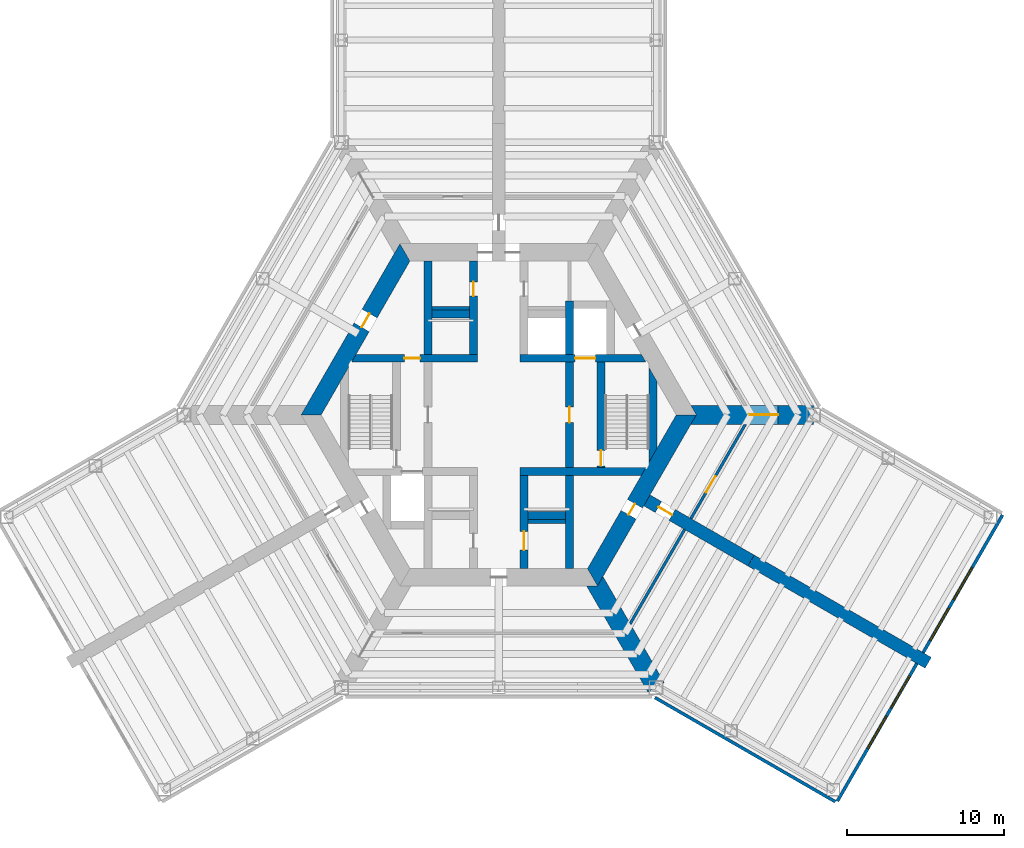
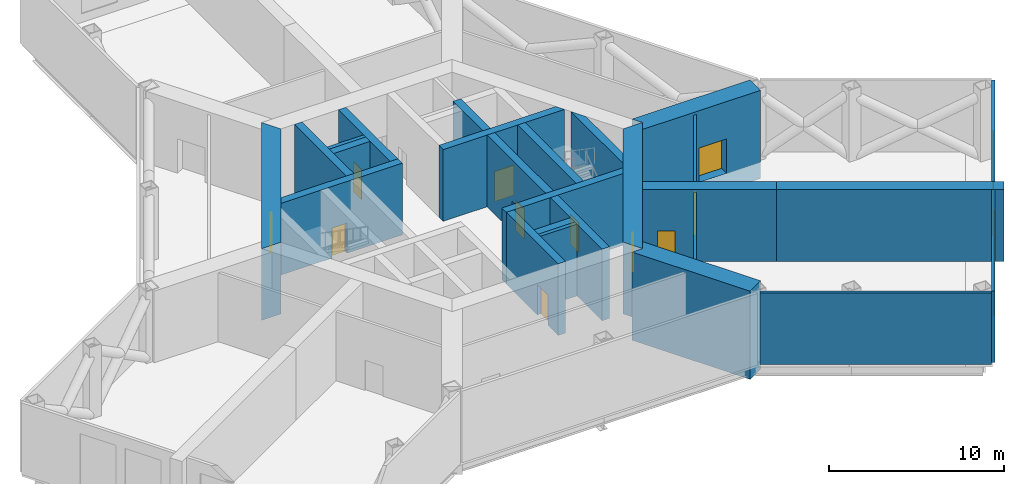
# One storey, part 5 of 8: 26 walls, 11 doors, 4 windows, 15 openings.
"""IFC4 building model written with IfcOpenShell, lengths in metres."""

from ifc_helpers import new_model, si_unit, direction, frame, frame_2d, origin, place, context, subcontext, project, spatial, polyline, rectangle, outline, extrude, material, layer, layer_set, type_object, element, fill, save


model = new_model("IFC4")

# Units and contexts
model_context = context("Model", 3, precision=1e-05, world=origin(), true_north=direction((0.0, 1.0)))
body_context = subcontext(model_context, "Body", "Model", "MODEL_VIEW")
ifc_project = project(units=[si_unit("LENGTHUNIT", "METRE"), si_unit("AREAUNIT", "SQUARE_METRE"), si_unit("VOLUMEUNIT", "CUBIC_METRE"), si_unit("PLANEANGLEUNIT", "RADIAN"), si_unit("MASSUNIT", "GRAM", prefix="KILO")], contexts=[model_context])

# Site, building, storey
site_placement = place(None, origin())
site = spatial("IfcSite", under=ifc_project, at=site_placement, CompositionType="ELEMENT")
building_placement = place(site_placement, origin())
building = spatial("IfcBuilding", under=site, at=building_placement, Name="Kasaneha Research Tower", CompositionType="ELEMENT")
storey_placement = place(building_placement, frame((0.0, 0.0, 123.60009765625)))
storey = spatial("IfcBuildingStorey", under=building, at=storey_placement, Name="L31", CompositionType="ELEMENT", Elevation=123.60009765625)

# Wall, opening, door
ifc_material_1 = material(Name="Concrete Fc80", Category="concrete")
ifc_layer_1 = layer(ifc_material_1, 0.5)
ifc_layer_set_1 = layer_set([ifc_layer_1], Name="Core internal wall 500 Fc80")
wall_type_1 = type_object("IfcWallType", Name="Core internal wall 500 Fc80", PredefinedType="SHEAR", material=ifc_layer_set_1)
wall_1_placement = place(storey_placement, frame((-9.208740234375, 3.60009765625, 0.0), z_axis=(0.0, 0.0, 1.0), x_axis=(1.0, 0.0, 0.0)))
wall_1 = element("IfcWall", 1, at=wall_1_placement, inside=storey, type_object=wall_type_1, Name="Core wall W1W L31", PredefinedType="SHEAR", context=body_context, shape_type="SweptSolid", body=[
    extrude(outline(polyline([(-0.144287109375, -0.25), (3.208740234375, -0.25), (4.208740234375, -0.25), (7.858642578125, -0.25), (7.858642578125, 0.25), (4.208740234375, 0.25), (3.208740234375, 0.25), (0.144287109375, 0.25), (-0.144287109375, -0.25)])), origin(), (0.0, 0.0, 1.0), 5.0),
])
opening_1_placement = place(wall_1_placement, frame((3.208740234375, 0.0, 0.0)))
opening_1 = element("IfcOpeningElement", 2, at=opening_1_placement, cuts=wall_1, Name="Opening L31-D12", PredefinedType="OPENING", context=body_context, shape_type="SweptSolid", body=[
    extrude(rectangle(XDim=1.0, YDim=2.10009765625, at=frame_2d((0.5, 1.050048828125))), frame((0.0, 0.260009765625, 0.0), z_axis=(0.0, -1.0, 0.0), x_axis=(1.0, 0.0, 0.0)), (0.0, 0.0, 1.0), 0.52001953125),
])
ifc_material_2 = material(Name="Steel", Category="steel")
door_type_1 = type_object("IfcDoorType", Name="Specified fire door FD60 1000x2100", OperationType="NOTDEFINED", PredefinedType="DOOR", material=ifc_material_2)
door_1_placement = place(opening_1_placement, origin())
door_1 = element("IfcDoor", 3, at=door_1_placement, inside=storey, type_object=door_type_1, Name="Vestibule to lobby door L31-D12", OperationType="SINGLE_SWING_RIGHT", OverallHeight=2.10009765625, OverallWidth=1.0, PredefinedType="DOOR", context=body_context, shape_type="SweptSolid", body=[
    extrude(rectangle(XDim=1.0, YDim=2.10009765625, at=frame_2d((0.5, 1.050048828125))), frame((0.0, 0.02490234375, 0.0), z_axis=(0.0, -1.0, 0.0), x_axis=(1.0, 0.0, 0.0)), (0.0, 0.0, 1.0), 0.050048828125),
])
fill(opening_1, door_1)

wall_2_placement = place(storey_placement, frame((1.35009765625, 3.60009765625, 0.0), z_axis=(0.0, 0.0, 1.0), x_axis=(1.0, 0.0, 0.0)))
wall_2 = element("IfcWall", 4, at=wall_2_placement, inside=storey, type_object=wall_type_1, Name="Core wall W1E L31", PredefinedType="SHEAR", context=body_context, shape_type="SweptSolid", body=[
    extrude(outline(polyline([(0.0, -0.25), (3.5, -0.25), (4.800048828125, -0.25), (8.0029296875, -0.25), (7.71435546875, 0.25), (4.800048828125, 0.25), (3.5, 0.25), (0.0, 0.25), (0.0, -0.25)])), origin(), (0.0, 0.0, 1.0), 5.0),
])
opening_2_placement = place(wall_2_placement, frame((3.5, 0.0, 0.0)))
opening_2 = element("IfcOpeningElement", 5, at=opening_2_placement, cuts=wall_2, Name="Opening LD-FL1-L31", PredefinedType="OPENING", context=body_context, shape_type="SweptSolid", body=[
    extrude(rectangle(XDim=1.300048828125, YDim=2.10009765625, at=frame_2d((0.64990234375, 1.050048828125))), frame((0.0, 0.260009765625, 0.0), z_axis=(0.0, -1.0, 0.0), x_axis=(1.0, 0.0, 0.0)), (0.0, 0.0, 1.0), 0.52001953125),
])
ifc_material_3 = material(Name="Steel", Category="steel")
door_type_2 = type_object("IfcDoorType", Name="Lift landing door 1300x2100", OperationType="DOUBLE_DOOR_SLIDING", PredefinedType="DOOR", material=ifc_material_3)
door_2_placement = place(opening_2_placement, origin())
door_2 = element("IfcDoor", 6, at=door_2_placement, inside=storey, type_object=door_type_2, Name="Landing door FL1 LD-FL1-L31", OperationType="DOUBLE_DOOR_SLIDING", OverallHeight=2.10009765625, OverallWidth=1.300048828125, PredefinedType="DOOR", context=body_context, shape_type="SweptSolid", body=[
    extrude(rectangle(XDim=1.300048828125, YDim=2.10009765625, at=frame_2d((0.64990234375, 1.050048828125))), frame((0.0, 0.02490234375, 0.0), z_axis=(0.0, -1.0, 0.0), x_axis=(1.0, 0.0, 0.0)), (0.0, 0.0, 1.0), 0.050048828125),
])
fill(opening_2, door_2)

# Wall
wall_3_placement = place(storey_placement, frame((1.35009765625, -3.60009765625, 0.0), z_axis=(0.0, 0.0, 1.0), x_axis=(1.0, 0.0, 0.0)))
element("IfcWall", 7, at=wall_3_placement, inside=storey, type_object=wall_type_1, Name="Core wall W2E L31", PredefinedType="SHEAR", context=body_context, shape_type="SweptSolid", body=[
    extrude(outline(polyline([(0.0, -0.25), (7.71435546875, -0.25), (8.0029296875, 0.25), (0.0, 0.25), (0.0, -0.25)])), origin(), (0.0, 0.0, 1.0), 5.0),
])

# Wall, opening, door
wall_4_placement = place(storey_placement, frame((-1.60009765625, 3.85009765625, 0.0), z_axis=(0.0, 0.0, 1.0), x_axis=(0.0, 1.0, 0.0)))
wall_4 = element("IfcWall", 8, at=wall_4_placement, inside=storey, type_object=wall_type_1, Name="Core wall CNW L31", PredefinedType="SHEAR", context=body_context, shape_type="SweptSolid", body=[
    extrude(rectangle(XDim=5.9248046875, YDim=0.5, at=frame_2d((2.96240234375, 0.0))), origin(), (0.0, 0.0, 1.0), 5.0),
])
opening_3_placement = place(wall_4_placement, frame((3.699951171875, 0.0, 0.0)))
opening_3 = element("IfcOpeningElement", 9, at=opening_3_placement, cuts=wall_4, Name="Opening L31-D13", PredefinedType="OPENING", context=body_context, shape_type="SweptSolid", body=[
    extrude(rectangle(XDim=0.89990234375, YDim=2.10009765625, at=frame_2d((0.449951171875, 1.050048828125))), frame((0.0, 0.260009765625, 0.0), z_axis=(0.0, -1.0, 0.0), x_axis=(1.0, 0.0, 0.0)), (0.0, 0.0, 1.0), 0.52001953125),
])
ifc_material_4 = material(Name="Steel", Category="steel")
door_type_3 = type_object("IfcDoorType", Name="Toilet door FD20 900x2100", OperationType="NOTDEFINED", PredefinedType="DOOR", material=ifc_material_4)
door_3_placement = place(opening_3_placement, origin())
door_3 = element("IfcDoor", 10, at=door_3_placement, inside=storey, type_object=door_type_3, Name="Men's WC door L31-D13", OperationType="SINGLE_SWING_LEFT", OverallHeight=2.10009765625, OverallWidth=0.89990234375, PredefinedType="DOOR", context=body_context, shape_type="SweptSolid", body=[
    extrude(rectangle(XDim=0.89990234375, YDim=2.10009765625, at=frame_2d((0.449951171875, 1.050048828125))), frame((0.0, 0.02490234375, 0.0), z_axis=(0.0, -1.0, 0.0), x_axis=(1.0, 0.0, 0.0)), (0.0, 0.0, 1.0), 0.050048828125),
])
fill(opening_3, door_3)

wall_5_placement = place(storey_placement, frame((1.60009765625, -3.85009765625, 0.0), z_axis=(0.0, 0.0, 1.0), x_axis=(0.0, -1.0, 0.0)))
wall_5 = element("IfcWall", 11, at=wall_5_placement, inside=storey, type_object=wall_type_1, Name="Core wall CSE L31", PredefinedType="SHEAR", context=body_context, shape_type="SweptSolid", body=[
    extrude(rectangle(XDim=5.9248046875, YDim=0.5, at=frame_2d((2.96240234375, 0.0))), origin(), (0.0, 0.0, 1.0), 5.0),
])
opening_4_placement = place(wall_5_placement, frame((3.550048828125, 0.0, 0.0)))
opening_4 = element("IfcOpeningElement", 12, at=opening_4_placement, cuts=wall_5, Name="Opening L31-D15", PredefinedType="OPENING", context=body_context, shape_type="SweptSolid", body=[
    extrude(rectangle(XDim=1.199951171875, YDim=2.10009765625, at=frame_2d((0.60009765625, 1.050048828125))), frame((0.0, 0.260009765625, 0.0), z_axis=(0.0, -1.0, 0.0), x_axis=(1.0, 0.0, 0.0)), (0.0, 0.0, 1.0), 0.52001953125),
])
ifc_material_5 = material(Name="Steel", Category="steel")
door_type_4 = type_object("IfcDoorType", Name="Accessible toilet sliding door FD20 1200x2100", OperationType="SLIDING_TO_LEFT", PredefinedType="DOOR", material=ifc_material_5)
door_4_placement = place(opening_4_placement, origin())
door_4 = element("IfcDoor", 13, at=door_4_placement, inside=storey, type_object=door_type_4, Name="Accessible WC door L31-D15", OperationType="SLIDING_TO_LEFT", OverallHeight=2.10009765625, OverallWidth=1.199951171875, PredefinedType="DOOR", context=body_context, shape_type="SweptSolid", body=[
    extrude(rectangle(XDim=1.199951171875, YDim=2.10009765625, at=frame_2d((0.60009765625, 1.050048828125))), frame((0.0, 0.02490234375, 0.0), z_axis=(0.0, -1.0, 0.0), x_axis=(1.0, 0.0, 0.0)), (0.0, 0.0, 1.0), 0.050048828125),
])
fill(opening_4, door_4)

wall_6_placement = place(storey_placement, frame((4.5, -3.35009765625, 0.0), z_axis=(0.0, 0.0, 1.0), x_axis=(0.0, 1.0, 0.0)))
wall_6 = element("IfcWall", 14, at=wall_6_placement, inside=storey, type_object=wall_type_1, Name="Core wall LBE L31", PredefinedType="SHEAR", context=body_context, shape_type="SweptSolid", body=[
    extrude(rectangle(XDim=6.7001953125, YDim=0.5, at=frame_2d((3.35009765625, 0.0))), origin(), (0.0, 0.0, 1.0), 5.0),
])
opening_5_placement = place(wall_6_placement, frame((2.85009765625, 0.0, 0.0)))
opening_5 = element("IfcOpeningElement", 15, at=opening_5_placement, cuts=wall_6, Name="Opening L31-D08", PredefinedType="OPENING", context=body_context, shape_type="SweptSolid", body=[
    extrude(rectangle(XDim=1.0, YDim=2.10009765625, at=frame_2d((0.5, 1.050048828125))), frame((0.0, 0.260009765625, 0.0), z_axis=(0.0, -1.0, 0.0), x_axis=(1.0, 0.0, 0.0)), (0.0, 0.0, 1.0), 0.52001953125),
])
door_5_placement = place(opening_5_placement, origin())
door_5 = element("IfcDoor", 16, at=door_5_placement, inside=storey, type_object=door_type_1, Name="Lift lobby door east L31-D08", OperationType="SINGLE_SWING_LEFT", OverallHeight=2.10009765625, OverallWidth=1.0, PredefinedType="DOOR", context=body_context, shape_type="SweptSolid", body=[
    extrude(rectangle(XDim=1.0, YDim=2.10009765625, at=frame_2d((0.5, 1.050048828125))), frame((0.0, 0.02490234375, 0.0), z_axis=(0.0, -1.0, 0.0), x_axis=(1.0, 0.0, 0.0)), (0.0, 0.0, 1.0), 0.050048828125),
])
fill(opening_5, door_5)

wall_7_placement = place(storey_placement, frame((6.5, -3.35009765625, 0.0), z_axis=(0.0, 0.0, 1.0), x_axis=(0.0, 1.0, 0.0)))
wall_7 = element("IfcWall", 17, at=wall_7_placement, inside=storey, type_object=wall_type_1, Name="Core wall ANE L31", PredefinedType="SHEAR", context=body_context, shape_type="SweptSolid", body=[
    extrude(rectangle(XDim=6.7001953125, YDim=0.5, at=frame_2d((3.35009765625, 0.0))), origin(), (0.0, 0.0, 1.0), 5.0),
])
opening_6_placement = place(wall_7_placement, frame((0.10009765625, 0.0, 0.0)))
opening_6 = element("IfcOpeningElement", 18, at=opening_6_placement, cuts=wall_7, Name="Opening L31-D10", PredefinedType="OPENING", context=body_context, shape_type="SweptSolid", body=[
    extrude(rectangle(XDim=1.0, YDim=2.10009765625, at=frame_2d((0.5, 1.050048828125))), frame((0.0, 0.260009765625, 0.0), z_axis=(0.0, -1.0, 0.0), x_axis=(1.0, 0.0, 0.0)), (0.0, 0.0, 1.0), 0.52001953125),
])
door_6_placement = place(opening_6_placement, origin())
door_6 = element("IfcDoor", 19, at=door_6_placement, inside=storey, type_object=door_type_1, Name="Stair 1 door L31-D10", OperationType="SINGLE_SWING_LEFT", OverallHeight=2.10009765625, OverallWidth=1.0, PredefinedType="DOOR", context=body_context, shape_type="SweptSolid", body=[
    extrude(rectangle(XDim=1.0, YDim=2.10009765625, at=frame_2d((0.5, 1.050048828125))), frame((0.0, 0.02490234375, 0.0), z_axis=(0.0, -1.0, 0.0), x_axis=(1.0, 0.0, 0.0)), (0.0, 0.0, 1.0), 0.050048828125),
])
fill(opening_6, door_6)

# Walls
wall_8_placement = place(storey_placement, frame((-4.5, 3.85009765625, 0.0), z_axis=(0.0, 0.0, 1.0), x_axis=(0.0, 1.0, 0.0)))
element("IfcWall", 20, at=wall_8_placement, inside=storey, type_object=wall_type_1, Name="Core wall VNW L31", PredefinedType="SHEAR", context=body_context, shape_type="SweptSolid", body=[
    extrude(rectangle(XDim=5.9248046875, YDim=0.5, at=frame_2d((2.96240234375, 0.0))), origin(), (0.0, 0.0, 1.0), 5.0),
])
wall_9_placement = place(storey_placement, frame((4.5, 3.85009765625, 0.0), z_axis=(0.0, 0.0, 1.0), x_axis=(0.0, 1.0, 0.0)))
element("IfcWall", 21, at=wall_9_placement, inside=storey, type_object=wall_type_1, Name="Core wall FNE L31", PredefinedType="SHEAR", context=body_context, shape_type="SweptSolid", body=[
    extrude(rectangle(XDim=3.39990234375, YDim=0.5, at=frame_2d((1.699951171875, 0.0))), origin(), (0.0, 0.0, 1.0), 5.0),
])
wall_10_placement = place(storey_placement, frame((4.5, -3.85009765625, 0.0), z_axis=(0.0, 0.0, 1.0), x_axis=(0.0, -1.0, 0.0)))
element("IfcWall", 22, at=wall_10_placement, inside=storey, type_object=wall_type_1, Name="Core wall SSE L31", PredefinedType="SHEAR", context=body_context, shape_type="SweptSolid", body=[
    extrude(rectangle(XDim=5.9248046875, YDim=0.5, at=frame_2d((2.96240234375, 0.0))), origin(), (0.0, 0.0, 1.0), 5.0),
])
for number, where, z_axis, x_axis, name in (
    (23, (-4.25, 6.39990234375, 0.0), (0.0, 0.0, 1.0), (1.0, 0.0, 0.0), "Core wall N1N L31"),
    (24, (1.85009765625, -6.39990234375, 0.0), (0.0, 0.0, 1.0), (1.0, 0.0, 0.0), "Core wall S3S L31"),
):
    element("IfcWall", number, at=place(storey_placement, frame(where, z_axis=z_axis, x_axis=x_axis)), inside=storey, type_object=wall_type_1, Name=name, PredefinedType="SHEAR", context=body_context, shape_type="SweptSolid", body=[
        extrude(rectangle(XDim=2.39990234375, YDim=0.5, at=frame_2d((1.199951171875, 0.0))), origin(), (0.0, 0.0, 1.0), 5.0),
    ])
wall_11_placement = place(storey_placement, frame((9.807861328125, -2.562255859375, 0.0), z_axis=(0.0, 0.0, 1.0), x_axis=(0.0, 1.0, 0.0)))
element("IfcWall", 25, at=wall_11_placement, inside=storey, type_object=wall_type_1, Name="Core wall STE L31", PredefinedType="SHEAR", context=body_context, shape_type="SweptSolid", body=[
    extrude(outline(polyline([(0.43310546875, -0.25), (4.69140625, -0.25), (5.5576171875, 0.25), (-0.43310546875, 0.25), (0.43310546875, -0.25)])), origin(), (0.0, 0.0, 1.0), 5.0),
])

# Wall, opening, door
ifc_material_6 = material(Name="Concrete Fc80", Category="concrete")
ifc_layer_2 = layer(ifc_material_6, 1.10009765625)
ifc_layer_set_2 = layer_set([ifc_layer_2], Name="Core wall 1100 Fc80")
wall_type_2 = type_object("IfcWallType", Name="Core wall 1100 Fc80", PredefinedType="SHEAR", material=ifc_layer_set_2)
wall_12_placement = place(storey_placement, frame((-5.961181640625, 10.324951171875, 0.0), z_axis=(0.0, 0.0, 1.0), x_axis=(-0.500004296715, -0.866022923061, 0.0)))
wall_12 = element("IfcWall", 26, at=wall_12_placement, inside=storey, type_object=wall_type_2, Name="Core wall 150 L31", PredefinedType="SHEAR", context=body_context, shape_type="SweptSolid", body=[
    extrude(outline(polyline([(-0.317626953125, -0.550048828125), (4.494140625, -0.550048828125), (5.494140625, -0.550048828125), (12.239990234375, -0.550048828125), (11.604736328125, 0.550048828125), (5.494140625, 0.550048828125), (4.494140625, 0.550048828125), (0.317626953125, 0.550048828125), (-0.317626953125, -0.550048828125)])), origin(), (0.0, 0.0, 1.0), 5.0),
])
opening_7_placement = place(wall_12_placement, frame((4.494140625, 0.0, 0.0)))
opening_7 = element("IfcOpeningElement", 27, at=opening_7_placement, cuts=wall_12, Name="Opening L31-D07", PredefinedType="OPENING", context=body_context, shape_type="SweptSolid", body=[
    extrude(rectangle(XDim=1.0, YDim=2.10009765625, at=frame_2d((0.5, 1.050048828125))), frame((0.0, 0.56005859375, 0.0), z_axis=(0.0, -1.0, 0.0), x_axis=(1.0, 0.0, 0.0)), (0.0, 0.0, 1.0), 1.1201171875),
])
ifc_material_7 = material(Name="Steel", Category="steel")
door_type_5 = type_object("IfcDoorType", Name="Fire door FD20 1000x2100", OperationType="NOTDEFINED", PredefinedType="DOOR", material=ifc_material_7)
door_7_placement = place(opening_7_placement, origin())
door_7 = element("IfcDoor", 28, at=door_7_placement, inside=storey, type_object=door_type_5, Name="Vestibule door L31-D07", OperationType="SINGLE_SWING_LEFT", OverallHeight=2.10009765625, OverallWidth=1.0, PredefinedType="DOOR", context=body_context, shape_type="SweptSolid", body=[
    extrude(rectangle(XDim=1.0, YDim=2.10009765625, at=frame_2d((0.5, 1.050048828125))), frame((0.0, 0.02490234375, 0.0), z_axis=(0.0, -1.0, 0.0), x_axis=(1.0, 0.0, 0.0)), (0.0, 0.0, 1.0), 0.050048828125),
])
fill(opening_7, door_7)

wall_13_placement = place(storey_placement, frame((5.961181640625, -10.324951171875, 0.0), z_axis=(0.0, 0.0, 1.0), x_axis=(0.500004296715, 0.866022923061, 0.0)))
wall_13 = element("IfcWall", 29, at=wall_13_placement, inside=storey, type_object=wall_type_2, Name="Core wall 330 L31", PredefinedType="SHEAR", context=body_context, shape_type="SweptSolid", body=[
    extrude(outline(polyline([(-0.317626953125, -0.550048828125), (4.593994140625, -0.550048828125), (5.39404296875, -0.550048828125), (12.239990234375, -0.550048828125), (11.604736328125, 0.550048828125), (5.39404296875, 0.550048828125), (4.593994140625, 0.550048828125), (0.317626953125, 0.550048828125), (-0.317626953125, -0.550048828125)])), origin(), (0.0, 0.0, 1.0), 5.0),
])
opening_8_placement = place(wall_13_placement, frame((4.593994140625, 0.0, 0.0)))
opening_8 = element("IfcOpeningElement", 30, at=opening_8_placement, cuts=wall_13, Name="Opening L31-D05", PredefinedType="OPENING", context=body_context, shape_type="SweptSolid", body=[
    extrude(rectangle(XDim=0.800048828125, YDim=2.10009765625, at=frame_2d((0.39990234375, 1.050048828125))), frame((0.0, 0.56005859375, 0.0), z_axis=(0.0, -1.0, 0.0), x_axis=(1.0, 0.0, 0.0)), (0.0, 0.0, 1.0), 1.1201171875),
])
ifc_material_8 = material(Name="Steel", Category="steel")
door_type_6 = type_object("IfcDoorType", Name="Riser access door FD60 800x2100", OperationType="NOTDEFINED", PredefinedType="DOOR", material=ifc_material_8)
door_8_placement = place(opening_8_placement, origin())
door_8 = element("IfcDoor", 31, at=door_8_placement, inside=storey, type_object=door_type_6, Name="Pipe riser door L31-D05", OperationType="SINGLE_SWING_LEFT", OverallHeight=2.10009765625, OverallWidth=0.800048828125, PredefinedType="DOOR", context=body_context, shape_type="SweptSolid", body=[
    extrude(rectangle(XDim=0.800048828125, YDim=2.10009765625, at=frame_2d((0.39990234375, 1.050048828125))), frame((0.0, 0.02490234375, 0.0), z_axis=(0.0, -1.0, 0.0), x_axis=(1.0, 0.0, 0.0)), (0.0, 0.0, 1.0), 0.050048828125),
])
fill(opening_8, door_8)

# Wall
ifc_material_9 = material(Name="Terracotta cladding on steel frame", Category="masonry")
ifc_layer_3 = layer(ifc_material_9, 0.199951171875)
ifc_layer_set_3 = layer_set([ifc_layer_3], Name="Louvred plant wall 200")
wall_type_3 = type_object("IfcWallType", Name="Louvred plant wall 200", PredefinedType="ELEMENTEDWALL", material=ifc_layer_set_3)
wall_14_placement = place(storey_placement, frame((9.92578125, -17.970458984375, 0.0), z_axis=(0.0, 0.0, 1.0), x_axis=(0.86602620781, -0.499998607384, 0.0)))
element("IfcWall", 32, at=wall_14_placement, inside=storey, type_object=wall_type_3, Name="Louvred plant wall L31", PredefinedType="ELEMENTEDWALL", context=body_context, shape_type="SweptSolid", body=[
    extrude(rectangle(XDim=13.2392578125, YDim=0.199951171875, at=frame_2d((6.61962890625, 0.0))), origin(), (0.0, 0.0, 1.0), 5.0),
])

# Wall, openings, windows
wall_15_placement = place(storey_placement, frame((21.52783203125, -24.553466796875, 0.0), z_axis=(0.0, 0.0, 1.0), x_axis=(0.500004929441, 0.866022557752, 0.0)))
wall_15 = element("IfcWall", 33, at=wall_15_placement, inside=storey, type_object=wall_type_3, Name="Louvred plant wall L31", PredefinedType="ELEMENTEDWALL", context=body_context, shape_type="SweptSolid", body=[
    extrude(rectangle(XDim=10.10009765625, YDim=0.199951171875, at=frame_2d((5.050048828125, 0.0))), origin(), (0.0, 0.0, 1.0), 5.0),
])
opening_9_placement = place(wall_15_placement, frame((3.86669921875, 0.0, 0.60009765625)))
opening_9 = element("IfcOpeningElement", 34, at=opening_9_placement, cuts=wall_15, Name="Opening LV2", PredefinedType="OPENING", context=body_context, shape_type="SweptSolid", body=[
    extrude(rectangle(XDim=2.36669921875, YDim=3.60009765625, at=frame_2d((1.183349609375, 1.800048828125))), frame((0.0, 0.10986328125, 0.0), z_axis=(0.0, -1.0, 0.0), x_axis=(1.0, 0.0, 0.0)), (0.0, 0.0, 1.0), 0.219970703125),
])
opening_10_placement = place(wall_15_placement, frame((6.833251953125, 0.0, 0.60009765625)))
opening_10 = element("IfcOpeningElement", 35, at=opening_10_placement, cuts=wall_15, Name="Opening LV2", PredefinedType="OPENING", context=body_context, shape_type="SweptSolid", body=[
    extrude(rectangle(XDim=2.36669921875, YDim=3.60009765625, at=frame_2d((1.183349609375, 1.800048828125))), frame((0.0, 0.10986328125, 0.0), z_axis=(0.0, -1.0, 0.0), x_axis=(1.0, 0.0, 0.0)), (0.0, 0.0, 1.0), 0.219970703125),
])
ifc_material_10 = material(Name="Aluminium 6063-T6", Category="aluminium")
window_type = type_object("IfcWindowType", Name="Louvre 2367x3600", PartitioningType="SINGLE_PANEL", PredefinedType="USERDEFINED", material=ifc_material_10)
window_1_placement = place(opening_9_placement, origin())
window_1 = element("IfcWindow", 36, at=window_1_placement, inside=storey, type_object=window_type, Name="Plant louvre L31 2", ObjectType="LOUVRE", OverallHeight=3.60009765625, OverallWidth=2.36669921875, PartitioningType="SINGLE_PANEL", PredefinedType="USERDEFINED", context=body_context, shape_type="SweptSolid", body=[
    extrude(rectangle(XDim=2.36669921875, YDim=3.60009765625, at=frame_2d((1.183349609375, 1.800048828125))), frame((0.0, 0.030029296875, 0.0), z_axis=(0.0, -1.0, 0.0), x_axis=(1.0, 0.0, 0.0)), (0.0, 0.0, 1.0), 0.06005859375),
])
fill(opening_9, window_1)
window_2_placement = place(opening_10_placement, origin())
window_2 = element("IfcWindow", 37, at=window_2_placement, inside=storey, type_object=window_type, Name="Plant louvre L31 3", ObjectType="LOUVRE", OverallHeight=3.60009765625, OverallWidth=2.36669921875, PartitioningType="SINGLE_PANEL", PredefinedType="USERDEFINED", context=body_context, shape_type="SweptSolid", body=[
    extrude(rectangle(XDim=2.36669921875, YDim=3.60009765625, at=frame_2d((1.183349609375, 1.800048828125))), frame((0.0, 0.030029296875, 0.0), z_axis=(0.0, -1.0, 0.0), x_axis=(1.0, 0.0, 0.0)), (0.0, 0.0, 1.0), 0.06005859375),
])
fill(opening_10, window_2)

wall_16_placement = place(storey_placement, frame((26.97802734375, -15.11376953125, 0.0), z_axis=(0.0, 0.0, 1.0), x_axis=(0.499986799974, 0.866033024689, 0.0)))
wall_16 = element("IfcWall", 38, at=wall_16_placement, inside=storey, type_object=wall_type_3, Name="Louvred plant wall L31", PredefinedType="ELEMENTEDWALL", context=body_context, shape_type="SweptSolid", body=[
    extrude(rectangle(XDim=10.099853515625, YDim=0.199951171875, at=frame_2d((5.0498046875, 0.0))), origin(), (0.0, 0.0, 1.0), 5.0),
])
opening_11_placement = place(wall_16_placement, frame((0.89990234375, 0.0, 0.60009765625)))
opening_11 = element("IfcOpeningElement", 39, at=opening_11_placement, cuts=wall_16, Name="Opening LV2", PredefinedType="OPENING", context=body_context, shape_type="SweptSolid", body=[
    extrude(rectangle(XDim=2.36669921875, YDim=3.60009765625, at=frame_2d((1.183349609375, 1.800048828125))), frame((0.0, 0.10986328125, 0.0), z_axis=(0.0, -1.0, 0.0), x_axis=(1.0, 0.0, 0.0)), (0.0, 0.0, 1.0), 0.219970703125),
])
opening_12_placement = place(wall_16_placement, frame((3.86669921875, 0.0, 0.60009765625)))
opening_12 = element("IfcOpeningElement", 40, at=opening_12_placement, cuts=wall_16, Name="Opening LV2", PredefinedType="OPENING", context=body_context, shape_type="SweptSolid", body=[
    extrude(rectangle(XDim=2.36669921875, YDim=3.60009765625, at=frame_2d((1.183349609375, 1.800048828125))), frame((0.0, 0.10986328125, 0.0), z_axis=(0.0, -1.0, 0.0), x_axis=(1.0, 0.0, 0.0)), (0.0, 0.0, 1.0), 0.219970703125),
])
window_3_placement = place(opening_11_placement, origin())
window_3 = element("IfcWindow", 41, at=window_3_placement, inside=storey, type_object=window_type, Name="Plant louvre L31 1", ObjectType="LOUVRE", OverallHeight=3.60009765625, OverallWidth=2.36669921875, PartitioningType="SINGLE_PANEL", PredefinedType="USERDEFINED", context=body_context, shape_type="SweptSolid", body=[
    extrude(rectangle(XDim=2.36669921875, YDim=3.60009765625, at=frame_2d((1.183349609375, 1.800048828125))), frame((0.0, 0.030029296875, 0.0), z_axis=(0.0, -1.0, 0.0), x_axis=(1.0, 0.0, 0.0)), (0.0, 0.0, 1.0), 0.06005859375),
])
fill(opening_11, window_3)
window_4_placement = place(opening_12_placement, origin())
window_4 = element("IfcWindow", 42, at=window_4_placement, inside=storey, type_object=window_type, Name="Plant louvre L31 2", ObjectType="LOUVRE", OverallHeight=3.60009765625, OverallWidth=2.36669921875, PartitioningType="SINGLE_PANEL", PredefinedType="USERDEFINED", context=body_context, shape_type="SweptSolid", body=[
    extrude(rectangle(XDim=2.36669921875, YDim=3.60009765625, at=frame_2d((1.183349609375, 1.800048828125))), frame((0.0, 0.030029296875, 0.0), z_axis=(0.0, -1.0, 0.0), x_axis=(1.0, 0.0, 0.0)), (0.0, 0.0, 1.0), 0.06005859375),
])
fill(opening_12, window_4)

# Wall, opening, door
ifc_material_11 = material(Name="Concrete Fc80", Category="concrete")
ifc_layer_4 = layer(ifc_material_11, 1.199951171875)
ifc_layer_set_4 = layer_set([ifc_layer_4], Name="Outrigger wall 1200 Fc80")
wall_type_4 = type_object("IfcWallType", Name="Outrigger wall 1200 Fc80", PredefinedType="SHEAR", material=ifc_layer_set_4)
wall_17_placement = place(storey_placement, frame((12.557373046875, 0.0, -1.150146484375), z_axis=(0.0, 0.0, 1.0), x_axis=(1.0, 0.0, 0.0)))
wall_17 = element("IfcWall", 43, at=wall_17_placement, inside=storey, type_object=wall_type_4, Name="Outrigger wall 000 L31", PredefinedType="SHEAR", context=body_context, shape_type="SweptSolid", body=[
    extrude(outline(polyline([(-0.346435546875, -0.60009765625), (3.395263671875, -0.60009765625), (5.1953125, -0.60009765625), (7.442626953125, -0.60009765625), (7.442626953125, 0.60009765625), (5.1953125, 0.60009765625), (3.395263671875, 0.60009765625), (-0.346435546875, 0.60009765625), (0.0, 0.0), (-0.346435546875, -0.60009765625)])), origin(), (0.0, 0.0, 1.0), 6.150146484375),
])
opening_13_placement = place(wall_17_placement, frame((3.395263671875, 0.0, 1.14990234375)))
opening_13 = element("IfcOpeningElement", 44, at=opening_13_placement, cuts=wall_17, Name="Opening L31-D20", PredefinedType="OPENING", context=body_context, shape_type="SweptSolid", body=[
    extrude(rectangle(XDim=1.800048828125, YDim=2.39990234375, at=frame_2d((0.89990234375, 1.199951171875))), frame((0.0, 0.60986328125, 0.0), z_axis=(0.0, -1.0, 0.0), x_axis=(1.0, 0.0, 0.0)), (0.0, 0.0, 1.0), 1.219970703125),
])
ifc_material_12 = material(Name="Steel", Category="steel")
door_type_7 = type_object("IfcDoorType", Name="Plant room double door FD60 1800x2400", OperationType="DOUBLE_DOOR_SINGLE_SWING", PredefinedType="DOOR", material=ifc_material_12)
door_9_placement = place(opening_13_placement, origin())
door_9 = element("IfcDoor", 45, at=door_9_placement, inside=storey, type_object=door_type_7, Name="Plant room door L31-D20", OperationType="DOUBLE_DOOR_SINGLE_SWING", OverallHeight=2.39990234375, OverallWidth=1.800048828125, PredefinedType="DOOR", context=body_context, shape_type="SweptSolid", body=[
    extrude(rectangle(XDim=1.800048828125, YDim=2.39990234375, at=frame_2d((0.89990234375, 1.199951171875))), frame((0.0, 0.02490234375, 0.0), z_axis=(0.0, -1.0, 0.0), x_axis=(1.0, 0.0, 0.0)), (0.0, 0.0, 1.0), 0.050048828125),
])
fill(opening_13, door_9)

# Wall
wall_18_placement = place(storey_placement, frame((6.278564453125, -10.875, -1.150146484375), z_axis=(0.0, 0.0, 1.0), x_axis=(0.50000923905, -0.866020069551, 0.0)))
element("IfcWall", 46, at=wall_18_placement, inside=storey, type_object=wall_type_4, Name="Outrigger wall 300 L31", PredefinedType="SHEAR", context=body_context, shape_type="SweptSolid", body=[
    extrude(outline(polyline([(-0.346435546875, -0.60009765625), (7.442626953125, -0.60009765625), (7.442626953125, 0.60009765625), (-0.346435546875, 0.60009765625), (0.0, 0.0), (-0.346435546875, -0.60009765625)])), origin(), (0.0, 0.0, 1.0), 6.150146484375),
])

# Wall, opening, door
ifc_material_13 = material(Name="Gypsum board on steel studs, two layers each side", Category="steel")
ifc_layer_5 = layer(ifc_material_13, 0.175048828125)
ifc_layer_set_5 = layer_set([ifc_layer_5], Name="Refuge fire partition 175")
wall_type_5 = type_object("IfcWallType", Name="Refuge fire partition 175", PredefinedType="PARTITIONING", material=ifc_layer_set_5)
wall_19_placement = place(storey_placement, frame((12.218505859375, -6.5869140625, 0.0), z_axis=(0.0, 0.0, 1.0), x_axis=(0.500005739714, 0.866022089933, 0.0)))
wall_19 = element("IfcWall", 47, at=wall_19_placement, inside=storey, type_object=wall_type_5, Name="Refuge fire partition RFCE01 L31", PredefinedType="PARTITIONING", context=body_context, shape_type="SweptSolid", body=[
    extrude(outline(polyline([(0.0, -0.08740234375), (1.900146484375, -0.08740234375), (3.10009765625, -0.08740234375), (6.963623046875, -0.08740234375), (6.862548828125, 0.08740234375), (3.10009765625, 0.08740234375), (1.900146484375, 0.08740234375), (0.0, 0.08740234375), (0.0, -0.08740234375)])), origin(), (0.0, 0.0, 1.0), 4.7998046875),
])
opening_14_placement = place(wall_19_placement, frame((1.900146484375, 0.0, 0.0)))
opening_14 = element("IfcOpeningElement", 48, at=opening_14_placement, cuts=wall_19, Name="Opening L31-D27", PredefinedType="OPENING", context=body_context, shape_type="SweptSolid", body=[
    extrude(rectangle(XDim=1.199951171875, YDim=2.10009765625, at=frame_2d((0.60009765625, 1.050048828125))), frame((0.0, 0.09765625, 0.0), z_axis=(0.0, -1.0, 0.0), x_axis=(1.0, 0.0, 0.0)), (0.0, 0.0, 1.0), 0.195068359375),
])
ifc_material_14 = material(Name="Steel", Category="steel")
door_type_8 = type_object("IfcDoorType", Name="Laboratory door FD60 1200x2100", OperationType="DOUBLE_DOOR_SINGLE_SWING", PredefinedType="DOOR", material=ifc_material_14)
door_10_placement = place(opening_14_placement, origin())
door_10 = element("IfcDoor", 49, at=door_10_placement, inside=storey, type_object=door_type_8, Name="Plant room door L31-D27", OperationType="DOUBLE_DOOR_SINGLE_SWING", OverallHeight=2.10009765625, OverallWidth=1.199951171875, PredefinedType="DOOR", context=body_context, shape_type="SweptSolid", body=[
    extrude(rectangle(XDim=1.199951171875, YDim=2.10009765625, at=frame_2d((0.60009765625, 1.050048828125))), frame((0.0, 0.02490234375, 0.0), z_axis=(0.0, -1.0, 0.0), x_axis=(1.0, 0.0, 0.0)), (0.0, 0.0, 1.0), 0.050048828125),
])
fill(opening_14, door_10)

# Wall
wall_20_placement = place(storey_placement, frame((8.357177734375, -13.27490234375, 0.0), z_axis=(0.0, 0.0, 1.0), x_axis=(0.500005739714, 0.866022089933, 0.0)))
element("IfcWall", 50, at=wall_20_placement, inside=storey, type_object=wall_type_5, Name="Refuge fire partition RFCS02 L31", PredefinedType="PARTITIONING", context=body_context, shape_type="SweptSolid", body=[
    extrude(outline(polyline([(-0.050537109375, -0.08740234375), (6.9130859375, -0.08740234375), (6.9130859375, 0.08740234375), (0.050537109375, 0.08740234375), (-0.050537109375, -0.08740234375)])), origin(), (0.0, 0.0, 1.0), 4.7998046875),
])

# Wall, opening, door
ifc_material_15 = material(Name="Concrete Fc80", Category="concrete")
ifc_layer_6 = layer(ifc_material_15, 0.800048828125)
ifc_layer_set_6 = layer_set([ifc_layer_6], Name="Spine wall 800 Fc80")
wall_type_6 = type_object("IfcWallType", Name="Spine wall 800 Fc80", PredefinedType="SHEAR", material=ifc_layer_set_6)
wall_21_placement = place(storey_placement, frame((9.41796875, -5.4375, 0.0), z_axis=(0.0, 0.0, 1.0), x_axis=(0.866029782078, -0.499992416496, 0.0)))
wall_21 = element("IfcWall", 51, at=wall_21_placement, inside=storey, type_object=wall_type_6, Name="Spine wall C L31", PredefinedType="SHEAR", context=body_context, shape_type="SweptSolid", body=[
    extrude(rectangle(XDim=7.6455078125, YDim=0.800048828125, at=frame_2d((3.82275390625, 0.0))), origin(), (0.0, 0.0, 1.0), 5.0),
])
opening_15_placement = place(wall_21_placement, frame((0.85009765625, 0.0, 0.0)))
opening_15 = element("IfcOpeningElement", 52, at=opening_15_placement, cuts=wall_21, Name="Opening L31-D19", PredefinedType="OPENING", context=body_context, shape_type="SweptSolid", body=[
    extrude(rectangle(XDim=1.0, YDim=2.10009765625, at=frame_2d((0.5, 1.050048828125))), frame((0.0, 0.41015625, 0.0), z_axis=(0.0, -1.0, 0.0), x_axis=(1.0, 0.0, 0.0)), (0.0, 0.0, 1.0), 0.820068359375),
])
door_11_placement = place(opening_15_placement, origin())
door_11 = element("IfcDoor", 53, at=door_11_placement, inside=storey, type_object=door_type_1, Name="Spine doorway C L31-D19", OperationType="SINGLE_SWING_LEFT", OverallHeight=2.10009765625, OverallWidth=1.0, PredefinedType="DOOR", context=body_context, shape_type="SweptSolid", body=[
    extrude(rectangle(XDim=1.0, YDim=2.10009765625, at=frame_2d((0.5, 1.050048828125))), frame((0.0, 0.02490234375, 0.0), z_axis=(0.0, -1.0, 0.0), x_axis=(1.0, 0.0, 0.0)), (0.0, 0.0, 1.0), 0.050048828125),
])
fill(opening_15, door_11)

# Walls
wall_22_placement = place(storey_placement, frame((16.039306640625, -9.26025390625, 0.0), z_axis=(0.0, 0.0, 1.0), x_axis=(0.866024837091, -0.50000098154, 0.0)))
element("IfcWall", 54, at=wall_22_placement, inside=storey, type_object=wall_type_6, Name="Spine wall C wing L31", PredefinedType="SHEAR", context=body_context, shape_type="SweptSolid", body=[
    extrude(rectangle(XDim=13.0, YDim=0.800048828125, at=frame_2d((6.5, 0.0))), origin(), (0.0, 0.0, 1.0), 5.0),
])
ifc_material_16 = material(Name="Concrete block lining", Category="concrete")
ifc_layer_7 = layer(ifc_material_16, 0.25)
ifc_layer_set_7 = layer_set([ifc_layer_7], Name="WC plumbing wall 250")
wall_type_7 = type_object("IfcWallType", Name="WC plumbing wall 250", PredefinedType="PLUMBINGWALL", material=ifc_layer_set_7)
for number, where, z_axis, x_axis, name in (
    (55, (-4.25, 6.77490234375, 0.0), (0.0, 0.0, 1.0), (1.0, 0.0, 0.0), "WC plumbing wall M L31"),
    (56, (1.85009765625, -6.77490234375, 0.0), (0.0, 0.0, 1.0), (1.0, 0.0, 0.0), "WC plumbing wall A L31"),
):
    element("IfcWall", number, at=place(storey_placement, frame(where, z_axis=z_axis, x_axis=x_axis)), inside=storey, type_object=wall_type_7, Name=name, PredefinedType="PLUMBINGWALL", context=body_context, shape_type="SweptSolid", body=[
        extrude(rectangle(XDim=2.39990234375, YDim=0.25, at=frame_2d((1.199951171875, 0.0))), origin(), (0.0, 0.0, 1.0), 5.0),
    ])

save(model, "model.ifc")
